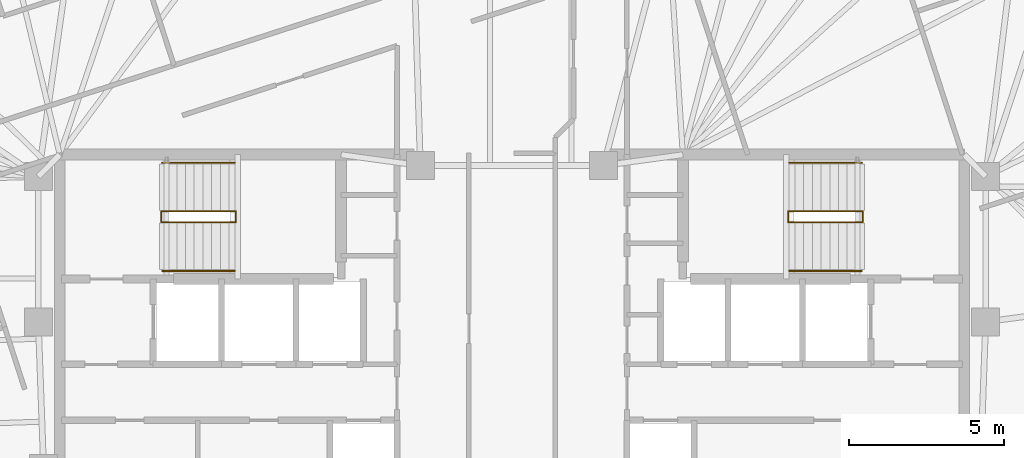
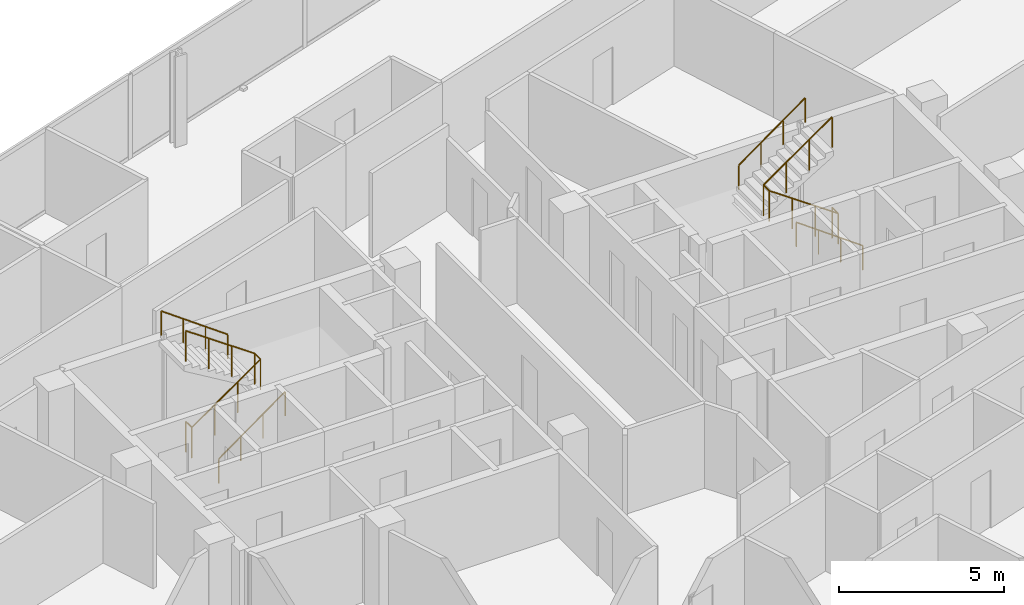
# One storey, part 19 of 19: 6 railings.
"""IFC4 building model written with IfcOpenShell, lengths in metres."""

from ifc_helpers import new_model, si_unit, direction, frame, origin, origin_2d, place, context, subcontext, project, spatial, circle, extrude, material, type_object, element, save


model = new_model("IFC4")

# Units and contexts
model_context = context("Model", 3, precision=1e-05, world=origin(), true_north=direction((0.0, 1.0)))
body_context = subcontext(model_context, "Body", "Model", "MODEL_VIEW")
ifc_project = project(units=[si_unit("LENGTHUNIT", "METRE"), si_unit("AREAUNIT", "SQUARE_METRE"), si_unit("VOLUMEUNIT", "CUBIC_METRE"), si_unit("PLANEANGLEUNIT", "RADIAN"), si_unit("MASSUNIT", "GRAM", prefix="KILO")], contexts=[model_context])

# Site, building, storey
site_placement = place(None, origin())
site = spatial("IfcSite", under=ifc_project, at=site_placement, CompositionType="ELEMENT")
building_placement = place(site_placement, origin())
building = spatial("IfcBuilding", under=site, at=building_placement, Name="Menara Jurai Vektor", CompositionType="ELEMENT")
storey_placement = place(building_placement, frame((0.0, 0.0, 220.949951171875)))
storey = spatial("IfcBuildingStorey", under=building, at=storey_placement, Name="L58", CompositionType="ELEMENT", Elevation=220.949951171875)

# Railings
ifc_material_1 = material(Name="Painted Galvanised Steel Balustrade", Category="steel")
railing_type_1 = type_object("IfcRailingType", Name="RAIL-STAIR-GUARD", PredefinedType="GUARDRAIL", material=ifc_material_1)
railing_1_placement = place(storey_placement, frame((-11.2900390625, 3.780029296875, 0.0)))
element("IfcRailing", 1, at=railing_1_placement, inside=storey, type_object=railing_type_1, Name="ST1 Stair Guardrail 1 L58", PredefinedType="GUARDRAIL", context=body_context, shape_type="SweptSolid", body=[
    extrude(circle(Radius=0.02392578125, at=origin_2d()), frame((0.0, 0.0, 1.1259765625), z_axis=(0.0, -1.0, 0.0), x_axis=(1.0, 0.0, 0.0)), (0.0, 0.0, 1.0), 0.360107421875),
    extrude(circle(Radius=0.02392578125, at=origin_2d()), frame((0.0, -0.360107421875, 1.1259765625), z_axis=(0.820042287322, 0.0, 0.572302932898), x_axis=(0.0, 1.0, 0.0)), (0.0, 0.0, 1.0), 2.9267578125),
    extrude(circle(Radius=0.02392578125, at=origin_2d()), frame((2.400146484375, -0.360107421875, 2.80078125), z_axis=(0.0, 1.0, 0.0), x_axis=(-1.0, 0.0, 0.0)), (0.0, 0.0, 1.0), 0.360107421875),
    extrude(circle(Radius=0.02392578125, at=origin_2d()), frame((2.400146484375, 0.0, 2.80078125), z_axis=(-0.820042287322, 0.0, 0.572302932898), x_axis=(0.0, -1.0, 0.0)), (0.0, 0.0, 1.0), 2.9267578125),
    extrude(circle(Radius=0.02099609375, at=origin_2d()), origin(), (0.0, 0.0, 1.0), 1.101806640625),
    extrude(circle(Radius=0.02099609375, at=origin_2d()), frame((0.0, -0.360107421875, 0.0)), (0.0, 0.0, 1.0), 1.101806640625),
    extrude(circle(Radius=0.02099609375, at=origin_2d()), frame((0.800048828125, -0.360107421875, 0.558349609375)), (0.0, 0.0, 1.0), 1.101806640625),
    extrude(circle(Radius=0.02099609375, at=origin_2d()), frame((1.60009765625, -0.360107421875, 1.11669921875)), (0.0, 0.0, 1.0), 1.101806640625),
    extrude(circle(Radius=0.02099609375, at=origin_2d()), frame((2.400146484375, -0.360107421875, 1.675048828125)), (0.0, 0.0, 1.0), 1.101806640625),
    extrude(circle(Radius=0.02099609375, at=origin_2d()), frame((2.400146484375, 0.0, 1.675048828125)), (0.0, 0.0, 1.0), 1.101806640625),
    extrude(circle(Radius=0.02099609375, at=origin_2d()), frame((1.60009765625, 0.0, 2.2333984375)), (0.0, 0.0, 1.0), 1.101806640625),
    extrude(circle(Radius=0.02099609375, at=origin_2d()), frame((0.800048828125, 0.0, 2.791748046875)), (0.0, 0.0, 1.0), 1.101806640625),
    extrude(circle(Radius=0.02099609375, at=origin_2d()), frame((0.0, 0.0, 3.35009765625)), (0.0, 0.0, 1.0), 1.101806640625),
])
railing_2_placement = place(storey_placement, frame((11.2900390625, 3.780029296875, 0.0)))
element("IfcRailing", 2, at=railing_2_placement, inside=storey, type_object=railing_type_1, Name="ST2 Stair Guardrail 1 L58", PredefinedType="GUARDRAIL", context=body_context, shape_type="SweptSolid", body=[
    extrude(circle(Radius=0.02392578125, at=origin_2d()), frame((0.0, 0.0, 1.1259765625), z_axis=(0.0, -1.0, 0.0), x_axis=(1.0, 0.0, 0.0)), (0.0, 0.0, 1.0), 0.360107421875),
    extrude(circle(Radius=0.02392578125, at=origin_2d()), frame((0.0, -0.360107421875, 1.1259765625), z_axis=(-0.820042287322, 0.0, 0.572302932898), x_axis=(0.0, -1.0, 0.0)), (0.0, 0.0, 1.0), 2.9267578125),
    extrude(circle(Radius=0.02392578125, at=origin_2d()), frame((-2.400146484375, -0.360107421875, 2.80078125), z_axis=(0.0, 1.0, 0.0), x_axis=(-1.0, 0.0, 0.0)), (0.0, 0.0, 1.0), 0.360107421875),
    extrude(circle(Radius=0.02392578125, at=origin_2d()), frame((-2.400146484375, 0.0, 2.80078125), z_axis=(0.820042287322, 0.0, 0.572302932898), x_axis=(0.0, 1.0, 0.0)), (0.0, 0.0, 1.0), 2.9267578125),
    extrude(circle(Radius=0.02099609375, at=origin_2d()), origin(), (0.0, 0.0, 1.0), 1.101806640625),
    extrude(circle(Radius=0.02099609375, at=origin_2d()), frame((0.0, -0.360107421875, 0.0)), (0.0, 0.0, 1.0), 1.101806640625),
    extrude(circle(Radius=0.02099609375, at=origin_2d()), frame((-0.800048828125, -0.360107421875, 0.558349609375)), (0.0, 0.0, 1.0), 1.101806640625),
    extrude(circle(Radius=0.02099609375, at=origin_2d()), frame((-1.60009765625, -0.360107421875, 1.11669921875)), (0.0, 0.0, 1.0), 1.101806640625),
    extrude(circle(Radius=0.02099609375, at=origin_2d()), frame((-2.400146484375, -0.360107421875, 1.675048828125)), (0.0, 0.0, 1.0), 1.101806640625),
    extrude(circle(Radius=0.02099609375, at=origin_2d()), frame((-2.400146484375, 0.0, 1.675048828125)), (0.0, 0.0, 1.0), 1.101806640625),
    extrude(circle(Radius=0.02099609375, at=origin_2d()), frame((-1.60009765625, 0.0, 2.2333984375)), (0.0, 0.0, 1.0), 1.101806640625),
    extrude(circle(Radius=0.02099609375, at=origin_2d()), frame((-0.800048828125, 0.0, 2.791748046875)), (0.0, 0.0, 1.0), 1.101806640625),
    extrude(circle(Radius=0.02099609375, at=origin_2d()), frame((0.0, 0.0, 3.35009765625)), (0.0, 0.0, 1.0), 1.101806640625),
])
ifc_material_2 = material(Name="Brushed Stainless Steel Handrail", Category="steel")
railing_type_2 = type_object("IfcRailingType", Name="RAIL-STAIR-HAND", PredefinedType="HANDRAIL", material=ifc_material_2)
railing_3_placement = place(storey_placement, frame((-11.25, 1.860107421875, 0.0)))
element("IfcRailing", 3, at=railing_3_placement, inside=storey, type_object=railing_type_2, Name="ST1 Stair Handrail 1 L58", PredefinedType="HANDRAIL", context=body_context, shape_type="SweptSolid", body=[
    extrude(circle(Radius=0.02392578125, at=origin_2d()), frame((0.0, 0.0, 0.89599609375), z_axis=(0.810771458067, 0.0, 0.585362830032), x_axis=(0.0, 1.0, 0.0)), (0.0, 0.0, 1.0), 2.861572265625),
    extrude(circle(Radius=0.02099609375, at=origin_2d()), origin(), (0.0, 0.0, 1.0), 0.871826171875),
    extrude(circle(Radius=0.02099609375, at=origin_2d()), frame((0.7734375, 0.0, 0.558349609375)), (0.0, 0.0, 1.0), 0.871826171875),
    extrude(circle(Radius=0.02099609375, at=origin_2d()), frame((1.546630859375, 0.0, 1.11669921875)), (0.0, 0.0, 1.0), 0.871826171875),
    extrude(circle(Radius=0.02099609375, at=origin_2d()), frame((2.320068359375, 0.0, 1.675048828125)), (0.0, 0.0, 1.0), 0.871826171875),
])
for number, where, name in (
    (4, (-8.929931640625, 5.340087890625, 1.675048828125), "ST1 Stair Handrail 2 L58"),
    (5, (11.25, 1.860107421875, 0.0), "ST2 Stair Handrail 1 L58"),
):
    element("IfcRailing", number, at=place(storey_placement, frame(where)), inside=storey, type_object=railing_type_2, Name=name, PredefinedType="HANDRAIL", context=body_context, shape_type="SweptSolid", body=[
        extrude(circle(Radius=0.02392578125, at=origin_2d()), frame((0.0, 0.0, 0.89599609375), z_axis=(-0.810771458067, 0.0, 0.585362830032), x_axis=(0.0, -1.0, 0.0)), (0.0, 0.0, 1.0), 2.861572265625),
        extrude(circle(Radius=0.02099609375, at=origin_2d()), origin(), (0.0, 0.0, 1.0), 0.871826171875),
        extrude(circle(Radius=0.02099609375, at=origin_2d()), frame((-0.7734375, 0.0, 0.558349609375)), (0.0, 0.0, 1.0), 0.871826171875),
        extrude(circle(Radius=0.02099609375, at=origin_2d()), frame((-1.546630859375, 0.0, 1.11669921875)), (0.0, 0.0, 1.0), 0.871826171875),
        extrude(circle(Radius=0.02099609375, at=origin_2d()), frame((-2.320068359375, 0.0, 1.675048828125)), (0.0, 0.0, 1.0), 0.871826171875),
    ])
railing_4_placement = place(storey_placement, frame((8.929931640625, 5.340087890625, 1.675048828125)))
element("IfcRailing", 6, at=railing_4_placement, inside=storey, type_object=railing_type_2, Name="ST2 Stair Handrail 2 L58", PredefinedType="HANDRAIL", context=body_context, shape_type="SweptSolid", body=[
    extrude(circle(Radius=0.02392578125, at=origin_2d()), frame((0.0, 0.0, 0.89599609375), z_axis=(0.810771458067, 0.0, 0.585362830032), x_axis=(0.0, 1.0, 0.0)), (0.0, 0.0, 1.0), 2.861572265625),
    extrude(circle(Radius=0.02099609375, at=origin_2d()), origin(), (0.0, 0.0, 1.0), 0.871826171875),
    extrude(circle(Radius=0.02099609375, at=origin_2d()), frame((0.7734375, 0.0, 0.558349609375)), (0.0, 0.0, 1.0), 0.871826171875),
    extrude(circle(Radius=0.02099609375, at=origin_2d()), frame((1.546630859375, 0.0, 1.11669921875)), (0.0, 0.0, 1.0), 0.871826171875),
    extrude(circle(Radius=0.02099609375, at=origin_2d()), frame((2.320068359375, 0.0, 1.675048828125)), (0.0, 0.0, 1.0), 0.871826171875),
])

save(model, "model.ifc")
